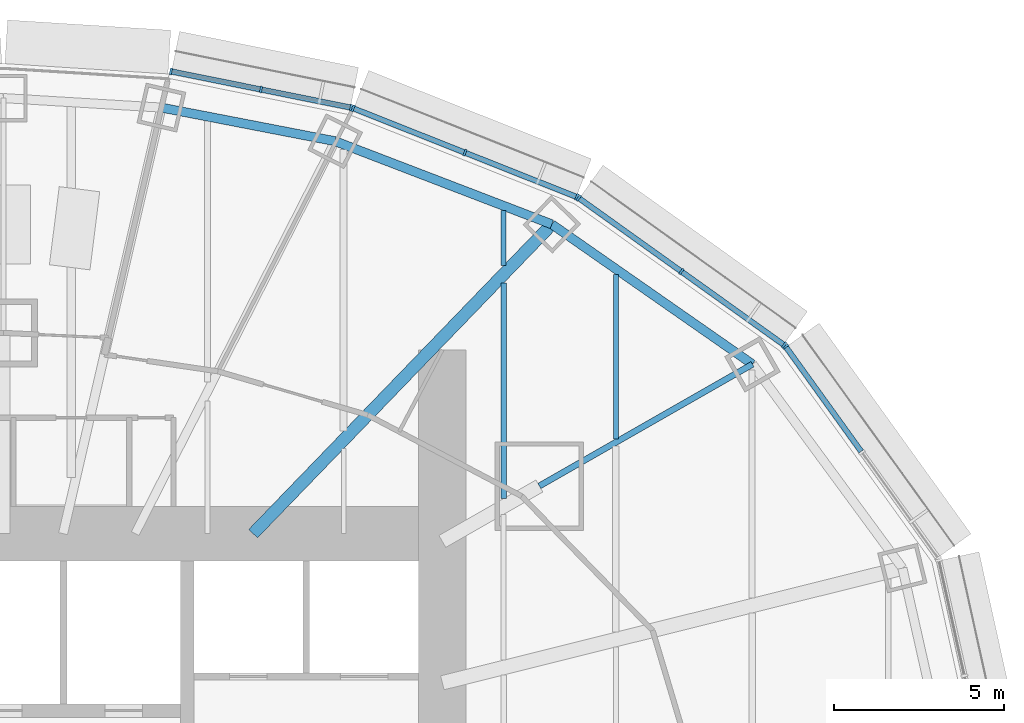
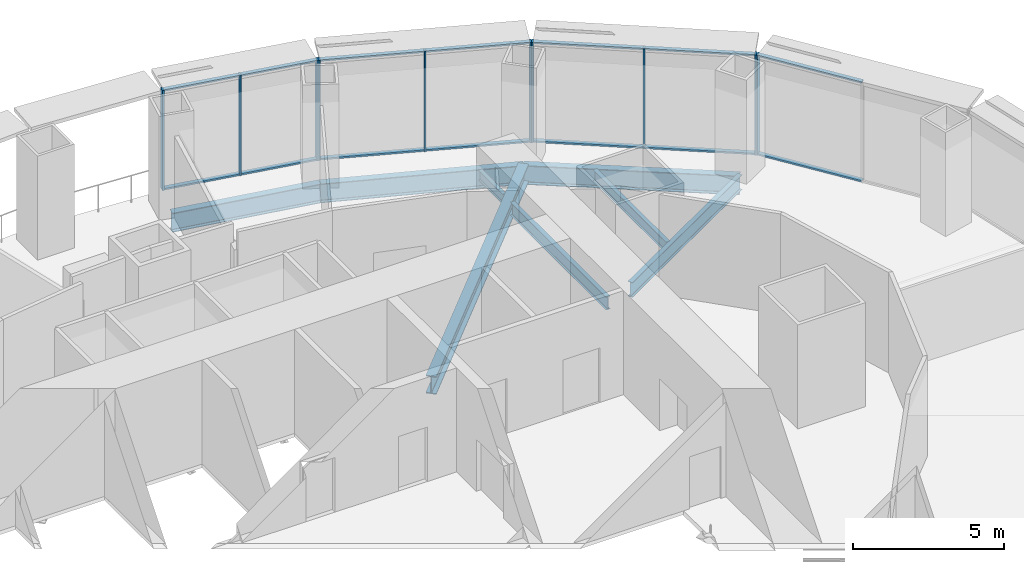
# One storey, part 8 of 17: 24 members, 8 beams, 4 elements without a shape of their own.
"""IFC4 building model written with IfcOpenShell, lengths in metres."""

import ifcopenshell
import ifcopenshell.guid

model = None  # the IFC model being written
_history = None  # IfcOwnerHistory: only IFC2X3 demands one
_inside = {}  # id of a spatial element -> (the spatial element, [elements in it])
_under = {}  # id of a project, library or spatial element -> (it, [spatial elements below it])
_declared = {}  # id of a project -> (the project, [libraries it declares])
_typed = {}  # id of a type object -> (the type object, [elements of that type])
_made_of = {}  # id of a material, layer set ... -> (it, [elements and type objects made of it])


def new_model(schema):
    """Start an empty IFC model of exactly this schema.

    Asked for "IFC4X3", IfcOpenShell would pick the latest addendum, in which some entities
    have other attributes; the version numbers below select the first issue.
    IFC2X3 requires an IfcOwnerHistory on every rooted entity: one is made here for all.
    """
    global model, _history
    if schema == "IFC4X3":
        model = ifcopenshell.file(schema_version=(4, 3, 0, 0))
    else:
        model = ifcopenshell.file(schema=schema)
    _inside.clear()
    _under.clear()
    _declared.clear()
    _typed.clear()
    _made_of.clear()
    _history = None
    if model.schema == "IFC2X3":
        org = make("IfcOrganization", Name="unknown")
        user = make(
            "IfcPersonAndOrganization",
            ThePerson=make("IfcPerson", FamilyName="unknown"),
            TheOrganization=org,
        )
        app = make(
            "IfcApplication",
            ApplicationDeveloper=org,
            Version="unknown",
            ApplicationFullName="unknown",
            ApplicationIdentifier="unknown",
        )
        _history = make(
            "IfcOwnerHistory",
            OwningUser=user,
            OwningApplication=app,
            ChangeAction="ADDED",
            CreationDate=0,
        )
    return model


def make(cls, **values):
    """One entity of the class cls with the attributes given. An attribute that is None is left unset."""
    return model.create_entity(
        cls, **{name: value for name, value in values.items() if value is not None}
    )


def rooted(cls, **values):
    """An entity with a GlobalId (a new one), such as an element, a storey or a relation."""
    return make(cls, GlobalId=ifcopenshell.guid.new(), OwnerHistory=_history, **values)


def si_unit(unit_type, name, prefix=None):
    """IfcSIUnit, for example si_unit("LENGTHUNIT", "METRE", prefix="MILLI")."""
    return make("IfcSIUnit", UnitType=unit_type, Prefix=prefix, Name=name)


def assignment(units):
    """IfcUnitAssignment: the units of a project."""
    return None if units is None else make("IfcUnitAssignment", Units=units)


def point(xyz):
    """IfcCartesianPoint."""
    return None if xyz is None else make("IfcCartesianPoint", Coordinates=xyz)


def direction(xyz):
    """IfcDirection."""
    return None if xyz is None else make("IfcDirection", DirectionRatios=xyz)


def frame(location, z_axis=None, x_axis=None):
    """IfcAxis2Placement3D, a coordinate frame: its origin and axes. An axis left out is left unset."""
    return make(
        "IfcAxis2Placement3D",
        Location=point(location),
        Axis=direction(z_axis),
        RefDirection=direction(x_axis),
    )


def frame_2d(location, x_axis=None):
    """IfcAxis2Placement2D, a coordinate frame in the plane: its origin and x axis."""
    return make(
        "IfcAxis2Placement2D", Location=point(location), RefDirection=direction(x_axis)
    )


def origin():
    """The frame at (0, 0, 0) with its axes left unset."""
    return frame((0.0, 0.0, 0.0))


def origin_2d():
    """The frame at (0, 0) in the plane with its x axis left unset."""
    return frame_2d((0.0, 0.0))


def place(relative_to, where):
    """IfcLocalPlacement: puts the frame where relative to a parent placement (None: the world)."""
    return make(
        "IfcLocalPlacement", PlacementRelTo=relative_to, RelativePlacement=where
    )


def context(
    kind, dimensions, precision=None, world=None, true_north=None, identifier=None
):
    """IfcGeometricRepresentationContext, for example the 3D "Model" context."""
    return make(
        "IfcGeometricRepresentationContext",
        ContextIdentifier=identifier,
        ContextType=kind,
        CoordinateSpaceDimension=dimensions,
        Precision=precision,
        WorldCoordinateSystem=world,
        TrueNorth=true_north,
    )


def subcontext(parent, identifier, kind, view, scale=None):
    """IfcGeometricRepresentationSubContext, for example "Body" below "Model"."""
    return make(
        "IfcGeometricRepresentationSubContext",
        ContextIdentifier=identifier,
        ContextType=kind,
        ParentContext=parent,
        TargetScale=scale,
        TargetView=view,
    )


def project(units=None, contexts=None):
    """IfcProject with its units and contexts."""
    return rooted(
        "IfcProject",
        Name="project",
        RepresentationContexts=contexts,
        UnitsInContext=assignment(units),
    )


def spatial(cls, under=None, at=None, **own):
    """A site, building, storey or space (cls), placed at a placement, below another one or the project."""
    s = rooted(cls, ObjectPlacement=at, **own)
    if under is not None:
        _under.setdefault(under.id(), (under, []))[1].append(s)
    return s


def profile(cls, at=None, kind="AREA", **sizes):
    """A parametric profile (cls). Its sizes go by their IFC names, for example OverallWidth=200.0."""
    return make(cls, ProfileType=kind, Position=at, **sizes)


def rectangle(**sizes):
    """IfcRectangleProfileDef."""
    return profile("IfcRectangleProfileDef", **sizes)


def i_section(**sizes):
    """IfcIShapeProfileDef."""
    return profile("IfcIShapeProfileDef", **sizes)


def extrude(swept, where, along, depth):
    """IfcExtrudedAreaSolid: the profile swept, set in the frame where, extruded along a direction by depth."""
    return make(
        "IfcExtrudedAreaSolid",
        SweptArea=swept,
        Position=where,
        ExtrudedDirection=direction(along),
        Depth=depth,
    )


def shape(context_of_items, identifier, shape_type, items):
    """IfcShapeRepresentation: the items that make up one representation, for example the "Body"."""
    return make(
        "IfcShapeRepresentation",
        ContextOfItems=context_of_items,
        RepresentationIdentifier=identifier,
        RepresentationType=shape_type,
        Items=items,
    )


def material(Name=None, Category=None):
    """IfcMaterial."""
    return make("IfcMaterial", Name=Name, Category=Category)


def material_profile(
    of_material, cross_section, Name=None, Category=None, Priority=None
):
    """IfcMaterialProfile: a cross section and its material."""
    return make(
        "IfcMaterialProfile",
        Name=Name,
        Material=of_material,
        Profile=cross_section,
        Priority=Priority,
        Category=Category,
    )


def profile_set(profiles, Name=None, composite=None):
    """IfcMaterialProfileSet."""
    return make(
        "IfcMaterialProfileSet",
        Name=Name,
        MaterialProfiles=profiles,
        CompositeProfile=composite,
    )


def made_of(thing, what):
    """Note that an element or type object is made of a material, layer set ...; save() writes the relation."""
    if what is not None:
        _made_of.setdefault(what.id(), (what, []))[1].append(thing)
    return thing


def type_object(cls, material=None, **own):
    """A type object (cls), such as IfcWallType, which elements share."""
    return made_of(rooted(cls, **own), material)


def element(
    cls,
    number,
    at=None,
    inside=None,
    cuts=None,
    type_object=None,
    material=None,
    context=None,
    identifier="Body",
    shape_type=None,
    held_by="IfcProductDefinitionShape",
    body=None,
    shapes=None,
    **own,
):
    """One element of the class cls, such as IfcWall. Its Tag is "e" and its number.

    at: its placement. inside: the storey or other place that contains it. cuts: it is an
    opening in that element (IfcRelVoidsElement). A single representation is given by context,
    identifier, shape_type and body (its items); several are given by shapes. held_by: the class
    of the entity that holds the representations. save() writes the other relations.
    """
    e = rooted(cls, Tag="e%d" % number, ObjectPlacement=at, **own)
    if body is not None:
        shapes = [shape(context, identifier, shape_type, body)]
    if shapes is not None:
        e.Representation = make(held_by, Representations=shapes)
    if inside is not None:
        _inside.setdefault(inside.id(), (inside, []))[1].append(e)
    if cuts is not None:
        rooted(
            "IfcRelVoidsElement", RelatingBuildingElement=cuts, RelatedOpeningElement=e
        )
    if type_object is not None:
        _typed.setdefault(type_object.id(), (type_object, []))[1].append(e)
    return made_of(e, material)


def aggregate(whole, parts):
    """IfcRelAggregates: a whole, such as a stair, and the parts it consists of."""
    return rooted("IfcRelAggregates", RelatingObject=whole, RelatedObjects=parts)


def save(model, path):
    """Write the relations noted so far, then the file.

    IfcRelAggregates (storeys below a building ...), IfcRelContainedInSpatialStructure (elements
    in a storey), IfcRelDefinesByType, IfcRelAssociatesMaterial and IfcRelDeclares: one each for
    every whole, place, type object, material and project.
    """
    for whole, parts in _under.values():
        aggregate(whole, parts)
    for where, things in _inside.values():
        rooted(
            "IfcRelContainedInSpatialStructure",
            RelatedElements=things,
            RelatingStructure=where,
        )
    for kind, things in _typed.values():
        rooted("IfcRelDefinesByType", RelatedObjects=things, RelatingType=kind)
    for what, things in _made_of.values():
        rooted("IfcRelAssociatesMaterial", RelatedObjects=things, RelatingMaterial=what)
    for by, libraries in _declared.values():
        rooted("IfcRelDeclares", RelatingContext=by, RelatedDefinitions=libraries)
    model.write(path)


model = new_model("IFC4")

# Units and contexts
model_context = context("Model", 3, precision=1e-05, world=origin(), true_north=direction((0.0, 1.0)))
body_context = subcontext(model_context, "Body", "Model", "MODEL_VIEW")
ifc_project = project(units=[si_unit("LENGTHUNIT", "METRE"), si_unit("AREAUNIT", "SQUARE_METRE"), si_unit("VOLUMEUNIT", "CUBIC_METRE"), si_unit("PLANEANGLEUNIT", "RADIAN"), si_unit("MASSUNIT", "GRAM", prefix="KILO")], contexts=[model_context])

# Site, building, storey
site_placement = place(None, origin())
site = spatial("IfcSite", under=ifc_project, at=site_placement, CompositionType="ELEMENT")
building_placement = place(site_placement, origin())
building = spatial("IfcBuilding", under=site, at=building_placement, Name="Lantaw Convention Tower", CompositionType="ELEMENT")
storey_placement = place(building_placement, frame((0.0, 0.0, 151.0)))
storey = spatial("IfcBuildingStorey", under=building, at=storey_placement, Name="L35", CompositionType="ELEMENT", Elevation=151.0)

# Beams
ifc_material_1 = material(Name="Steel ASTM A992", Category="steel")
ifc_material_profile_1 = material_profile(ifc_material_1, i_section(OverallWidth=0.2666015625, OverallDepth=0.76953125, WebThickness=0.015625, FlangeThickness=0.025390625, FilletRadius=0.0126953125, at=origin_2d()), Name="W30X132")
ifc_profile_set_1 = profile_set([ifc_material_profile_1], Name="Steel ASTM A992")
beam_type_1 = type_object("IfcBeamType", Name="Beam E W30X132", PredefinedType="SPANDREL", material=ifc_profile_set_1)
beam_1_placement = place(storey_placement, frame((22.013916015625, 12.579345703125, -0.534912109375), z_axis=(-0.820310765287, 0.57191804339, 0.0), x_axis=(-0.57191804339, -0.820310765287, 0.0)))
element("IfcBeam", 1, at=beam_1_placement, inside=storey, type_object=beam_type_1, Name="Edge beam 3", PredefinedType="SPANDREL", context=body_context, shape_type="SweptSolid", body=[
    extrude(i_section(OverallWidth=0.2666015625, OverallDepth=0.76953125, WebThickness=0.015625, FlangeThickness=0.025390625, FilletRadius=0.0126953125, at=origin_2d()), origin(), (0.0, 0.0, 1.0), 7.187744140625),
])
beam_2_placement = place(storey_placement, frame((16.11767578125, 16.690185546875, -0.534912109375), z_axis=(-0.933691081977, 0.358079549033, 0.0), x_axis=(-0.358079549033, -0.933691081977, 0.0)))
element("IfcBeam", 2, at=beam_2_placement, inside=storey, type_object=beam_type_1, Name="Edge beam 4", PredefinedType="SPANDREL", context=body_context, shape_type="SweptSolid", body=[
    extrude(i_section(OverallWidth=0.2666015625, OverallDepth=0.76953125, WebThickness=0.015625, FlangeThickness=0.025390625, FilletRadius=0.0126953125, at=origin_2d()), origin(), (0.0, 0.0, 1.0), 6.821533203125),
])
beam_3_placement = place(storey_placement, frame((9.74853515625, 19.1328125, -0.534912109375), z_axis=(-0.981796805654, 0.189934284446, 0.0), x_axis=(-0.189934284446, -0.981796805654, 0.0)))
element("IfcBeam", 3, at=beam_3_placement, inside=storey, type_object=beam_type_1, Name="Edge beam 5", PredefinedType="SPANDREL", context=body_context, shape_type="SweptSolid", body=[
    extrude(i_section(OverallWidth=0.2666015625, OverallDepth=0.76953125, WebThickness=0.015625, FlangeThickness=0.025390625, FilletRadius=0.0126953125, at=origin_2d()), origin(), (0.0, 0.0, 1.0), 5.1982421875),
])
ifc_material_profile_2 = material_profile(ifc_material_1, i_section(OverallWidth=0.177978515625, OverallDepth=0.599365234375, WebThickness=0.010009765625, FlangeThickness=0.012939453125, FilletRadius=0.012939453125, at=origin_2d()), Name="W24X55")
ifc_profile_set_2 = profile_set([ifc_material_profile_2], Name="Steel ASTM A992")
beam_type_2 = type_object("IfcBeamType", Name="Beam G W24X55", PredefinedType="BEAM", material=ifc_profile_set_2)
beam_4_placement = place(storey_placement, frame((15.75, 9.0, -0.44970703125), z_axis=(0.868245224608, 0.496135293993, 0.0), x_axis=(-0.496135293993, 0.868245224608, 0.0)))
element("IfcBeam", 4, at=beam_4_placement, inside=storey, type_object=beam_type_2, Name="Floor girder on ray 3", PredefinedType="BEAM", context=body_context, shape_type="SweptSolid", body=[
    extrude(i_section(OverallWidth=0.177978515625, OverallDepth=0.599365234375, WebThickness=0.010009765625, FlangeThickness=0.012939453125, FilletRadius=0.012939453125, at=origin_2d()), origin(), (0.0, 0.0, 1.0), 7.21435546875),
])
ifc_material_profile_3 = material_profile(ifc_material_1, i_section(OverallWidth=0.360595703125, OverallDepth=0.72900390625, WebThickness=0.023193359375, FlangeThickness=0.041015625, FilletRadius=0.0126953125, at=origin_2d()), Name="W27X235")
ifc_profile_set_3 = profile_set([ifc_material_profile_3], Name="Steel ASTM A992")
beam_type_3 = type_object("IfcBeamType", Name="Beam G W27X235", PredefinedType="BEAM", material=ifc_profile_set_3)
beam_5_placement = place(storey_placement, frame((7.33935546875, 7.60009765625, -0.514404296875), z_axis=(0.694663467407, 0.719334878239, 0.0), x_axis=(-0.719334878239, 0.694663467407, 0.0)))
element("IfcBeam", 5, at=beam_5_placement, inside=storey, type_object=beam_type_3, Name="Floor girder on ray 4", PredefinedType="BEAM", context=body_context, shape_type="SweptSolid", body=[
    extrude(i_section(OverallWidth=0.360595703125, OverallDepth=0.72900390625, WebThickness=0.023193359375, FlangeThickness=0.041015625, FilletRadius=0.0126953125, at=origin_2d()), origin(), (0.0, 0.0, 1.0), 12.63671875),
])
ifc_material_profile_4 = material_profile(ifc_material_1, i_section(OverallWidth=0.140380859375, OverallDepth=0.40380859375, WebThickness=0.007080078125, FlangeThickness=0.01123046875, FilletRadius=0.01025390625, at=origin_2d()), Name="W16X31")
ifc_profile_set_4 = profile_set([ifc_material_profile_4], Name="Steel ASTM A992")
beam_type_4 = type_object("IfcBeamType", Name="Beam J W16X31", PredefinedType="JOIST", material=ifc_profile_set_4)
beam_6_placement = place(storey_placement, frame((14.699951171875, 15.48193359375, -0.35205078125), z_axis=(0.0, 1.0, 0.0), x_axis=(-1.0, 0.0, 0.0)))
element("IfcBeam", 6, at=beam_6_placement, inside=storey, type_object=beam_type_4, Name="Floor joist", PredefinedType="JOIST", context=body_context, shape_type="SweptSolid", body=[
    extrude(i_section(OverallWidth=0.140380859375, OverallDepth=0.40380859375, WebThickness=0.007080078125, FlangeThickness=0.01123046875, FilletRadius=0.01025390625, at=origin_2d()), origin(), (0.0, 0.0, 1.0), 1.609130859375),
])
ifc_material_profile_5 = material_profile(ifc_material_1, i_section(OverallWidth=0.15234375, OverallDepth=0.449462890625, WebThickness=0.007568359375, FlangeThickness=0.0107421875, FilletRadius=0.01025390625, at=origin_2d()), Name="W18X35")
ifc_profile_set_5 = profile_set([ifc_material_profile_5], Name="Steel ASTM A992")
beam_type_5 = type_object("IfcBeamType", Name="Beam J W18X35", PredefinedType="JOIST", material=ifc_profile_set_5)
beam_7_placement = place(storey_placement, frame((18.0, 10.38818359375, -0.374755859375), z_axis=(0.0, 1.0, 0.0), x_axis=(-1.0, 0.0, 0.0)))
element("IfcBeam", 7, at=beam_7_placement, inside=storey, type_object=beam_type_5, Name="Floor joist", PredefinedType="JOIST", context=body_context, shape_type="SweptSolid", body=[
    extrude(i_section(OverallWidth=0.15234375, OverallDepth=0.449462890625, WebThickness=0.007568359375, FlangeThickness=0.0107421875, FilletRadius=0.01025390625, at=origin_2d()), origin(), (0.0, 0.0, 1.0), 4.8271484375),
])
ifc_material_profile_6 = material_profile(ifc_material_1, i_section(OverallWidth=0.1650390625, OverallDepth=0.52587890625, WebThickness=0.0087890625, FlangeThickness=0.011474609375, FilletRadius=0.0126953125, at=origin_2d()), Name="W21X44")
ifc_profile_set_6 = profile_set([ifc_material_profile_6], Name="Steel ASTM A992")
beam_type_6 = type_object("IfcBeamType", Name="Beam J W21X44", PredefinedType="JOIST", material=ifc_profile_set_6)
beam_8_placement = place(storey_placement, frame((14.699951171875, 8.632568359375, -0.412841796875), z_axis=(0.0, 1.0, 0.0), x_axis=(-1.0, 0.0, 0.0)))
element("IfcBeam", 8, at=beam_8_placement, inside=storey, type_object=beam_type_6, Name="Floor joist", PredefinedType="JOIST", context=body_context, shape_type="SweptSolid", body=[
    extrude(i_section(OverallWidth=0.1650390625, OverallDepth=0.52587890625, WebThickness=0.0087890625, FlangeThickness=0.011474609375, FilletRadius=0.0126953125, at=origin_2d()), origin(), (0.0, 0.0, 1.0), 6.330078125),
])

# Curtain wall, member
ifc_material_2 = material(Name="Aluminium framed curtain wall", Category="aluminium")
curtain_wall_type = type_object("IfcCurtainWallType", Name="Office curtain wall low rise, pale aluminium", PredefinedType="USERDEFINED", material=ifc_material_2)
curtain_wall_1_placement = place(storey_placement, origin())
curtain_wall_1 = element("IfcCurtainWall", 9, at=curtain_wall_1_placement, inside=storey, type_object=curtain_wall_type, Name="Office curtain wall low rise, pale aluminium L35", ObjectType="UNITISED CURTAIN WALL", PredefinedType="USERDEFINED")
ifc_material_3 = material(Name="Aluminium 6063-T6", Category="aluminium")
ifc_material_profile_7 = material_profile(ifc_material_3, rectangle(XDim=0.199951171875, YDim=0.06494140625, at=origin_2d()), Name="CW-O1 mullion 65x200")
ifc_profile_set_7 = profile_set([ifc_material_profile_7], Name="Aluminium 6063-T6")
member_type_1 = type_object("IfcMemberType", Name="CW-O1 mullion 65x200", PredefinedType="MULLION", material=ifc_profile_set_7)
member_1_placement = place(storey_placement, frame((22.988037109375, 13.098876953125, 0.0), z_axis=(0.0, 0.0, 1.0), x_axis=(-0.811384633629, -0.584512597221, 0.0)))
member_1 = element("IfcMember", 10, at=member_1_placement, type_object=member_type_1, Name="CW-O1 mullion 3", PredefinedType="MULLION", context=body_context, shape_type="SweptSolid", body=[
    extrude(rectangle(XDim=0.199951171875, YDim=0.06494140625, at=origin_2d()), origin(), (0.0, 0.0, 1.0), 4.050048828125),
])

# Curtain wall, members
curtain_wall_2_placement = place(storey_placement, origin())
curtain_wall_2 = element("IfcCurtainWall", 11, at=curtain_wall_2_placement, inside=storey, type_object=curtain_wall_type, Name="Office curtain wall low rise, pale aluminium L35", ObjectType="UNITISED CURTAIN WALL", PredefinedType="USERDEFINED")
member_2_placement = place(storey_placement, frame((22.942626953125, 13.14404296875, 0.0), z_axis=(0.0, 0.0, 1.0), x_axis=(-0.581972695693, -0.813208325995, 0.0)))
member_2 = element("IfcMember", 12, at=member_2_placement, type_object=member_type_1, Name="CW-O1 mullion 1", PredefinedType="MULLION", context=body_context, shape_type="SweptSolid", body=[
    extrude(rectangle(XDim=0.199951171875, YDim=0.06494140625, at=origin_2d()), origin(), (0.0, 0.0, 1.0), 4.050048828125),
])
member_3_placement = place(storey_placement, frame((19.92529296875, 15.303466796875, 0.0), z_axis=(0.0, 0.0, 1.0), x_axis=(-0.581972695693, -0.813208325995, 0.0)))
member_3 = element("IfcMember", 13, at=member_3_placement, type_object=member_type_1, Name="CW-O1 mullion 2", PredefinedType="MULLION", context=body_context, shape_type="SweptSolid", body=[
    extrude(rectangle(XDim=0.199951171875, YDim=0.06494140625, at=origin_2d()), origin(), (0.0, 0.0, 1.0), 4.050048828125),
])
member_4_placement = place(storey_placement, frame((16.908203125, 17.462646484375, 0.0), z_axis=(0.0, 0.0, 1.0), x_axis=(-0.581972695693, -0.813208325995, 0.0)))
member_4 = element("IfcMember", 14, at=member_4_placement, type_object=member_type_1, Name="CW-O1 mullion 3", PredefinedType="MULLION", context=body_context, shape_type="SweptSolid", body=[
    extrude(rectangle(XDim=0.199951171875, YDim=0.06494140625, at=origin_2d()), origin(), (0.0, 0.0, 1.0), 4.050048828125),
])

curtain_wall_3_placement = place(storey_placement, origin())
curtain_wall_3 = element("IfcCurtainWall", 15, at=curtain_wall_3_placement, inside=storey, type_object=curtain_wall_type, Name="Office curtain wall low rise, pale aluminium L35", ObjectType="UNITISED CURTAIN WALL", PredefinedType="USERDEFINED")
member_5_placement = place(storey_placement, frame((16.8515625, 17.49365234375, 0.0), z_axis=(0.0, 0.0, 1.0), x_axis=(-0.368701907483, -0.929547687544, 0.0)))
member_5 = element("IfcMember", 16, at=member_5_placement, type_object=member_type_1, Name="CW-O1 mullion 1", PredefinedType="MULLION", context=body_context, shape_type="SweptSolid", body=[
    extrude(rectangle(XDim=0.199951171875, YDim=0.06494140625, at=origin_2d()), origin(), (0.0, 0.0, 1.0), 4.050048828125),
])
member_6_placement = place(storey_placement, frame((13.56494140625, 18.797119140625, 0.0), z_axis=(0.0, 0.0, 1.0), x_axis=(-0.368701907483, -0.929547687544, 0.0)))
member_6 = element("IfcMember", 17, at=member_6_placement, type_object=member_type_1, Name="CW-O1 mullion 2", PredefinedType="MULLION", context=body_context, shape_type="SweptSolid", body=[
    extrude(rectangle(XDim=0.199951171875, YDim=0.06494140625, at=origin_2d()), origin(), (0.0, 0.0, 1.0), 4.050048828125),
])
member_7_placement = place(storey_placement, frame((10.2783203125, 20.100830078125, 0.0), z_axis=(0.0, 0.0, 1.0), x_axis=(-0.368701907483, -0.929547687544, 0.0)))
member_7 = element("IfcMember", 18, at=member_7_placement, type_object=member_type_1, Name="CW-O1 mullion 3", PredefinedType="MULLION", context=body_context, shape_type="SweptSolid", body=[
    extrude(rectangle(XDim=0.199951171875, YDim=0.06494140625, at=origin_2d()), origin(), (0.0, 0.0, 1.0), 4.050048828125),
])

curtain_wall_4_placement = place(storey_placement, origin())
curtain_wall_4 = element("IfcCurtainWall", 19, at=curtain_wall_4_placement, inside=storey, type_object=curtain_wall_type, Name="Office curtain wall low rise, pale aluminium L35", ObjectType="UNITISED CURTAIN WALL", PredefinedType="USERDEFINED")
member_8_placement = place(storey_placement, frame((10.216064453125, 20.119140625, 0.0), z_axis=(0.0, 0.0, 1.0), x_axis=(-0.197506809659, -0.980301514912, 0.0)))
member_8 = element("IfcMember", 20, at=member_8_placement, type_object=member_type_1, Name="CW-O1 mullion 1", PredefinedType="MULLION", context=body_context, shape_type="SweptSolid", body=[
    extrude(rectangle(XDim=0.199951171875, YDim=0.06494140625, at=origin_2d()), origin(), (0.0, 0.0, 1.0), 4.050048828125),
])
member_9_placement = place(storey_placement, frame((7.5703125, 20.65234375, 0.0), z_axis=(0.0, 0.0, 1.0), x_axis=(-0.197506809659, -0.980301514912, 0.0)))
member_9 = element("IfcMember", 21, at=member_9_placement, type_object=member_type_1, Name="CW-O1 mullion 2", PredefinedType="MULLION", context=body_context, shape_type="SweptSolid", body=[
    extrude(rectangle(XDim=0.199951171875, YDim=0.06494140625, at=origin_2d()), origin(), (0.0, 0.0, 1.0), 4.050048828125),
])
member_10_placement = place(storey_placement, frame((4.92431640625, 21.185302734375, 0.0), z_axis=(0.0, 0.0, 1.0), x_axis=(-0.197506809659, -0.980301514912, 0.0)))
member_10 = element("IfcMember", 22, at=member_10_placement, type_object=member_type_1, Name="CW-O1 mullion 3", PredefinedType="MULLION", context=body_context, shape_type="SweptSolid", body=[
    extrude(rectangle(XDim=0.199951171875, YDim=0.06494140625, at=origin_2d()), origin(), (0.0, 0.0, 1.0), 4.050048828125),
])

# Member
ifc_material_profile_8 = material_profile(ifc_material_3, rectangle(XDim=0.159912109375, YDim=0.06494140625, at=origin_2d()), Name="CW-O1 transom 65x160")
ifc_profile_set_8 = profile_set([ifc_material_profile_8], Name="Aluminium 6063-T6")
member_type_2 = type_object("IfcMemberType", Name="CW-O1 transom 65x160", PredefinedType="USERDEFINED", material=ifc_profile_set_8)
member_11_placement = place(storey_placement, frame((25.209228515625, 10.015625, 0.032470703125), z_axis=(-0.584512973979, 0.811384362217, 0.0), x_axis=(-0.811384362217, -0.584512973979, 0.0)))
member_11 = element("IfcMember", 23, at=member_11_placement, type_object=member_type_2, Name="CW-O1 transom 2.1", ObjectType="TRANSOM", PredefinedType="USERDEFINED", context=body_context, shape_type="SweptSolid", body=[
    extrude(rectangle(XDim=0.159912109375, YDim=0.06494140625, at=origin_2d()), origin(), (0.0, 0.0, 1.0), 3.767578125),
])

member_12_placement = place(storey_placement, frame((25.209228515625, 10.015625, 4.017578125), z_axis=(-0.584512973979, 0.811384362217, 0.0), x_axis=(-0.811384362217, -0.584512973979, 0.0)))
member_12 = element("IfcMember", 24, at=member_12_placement, type_object=member_type_2, Name="CW-O1 transom 2.2", ObjectType="TRANSOM", PredefinedType="USERDEFINED", context=body_context, shape_type="SweptSolid", body=[
    extrude(rectangle(XDim=0.159912109375, YDim=0.06494140625, at=origin_2d()), origin(), (0.0, 0.0, 1.0), 3.767578125),
])

aggregate(curtain_wall_1, [member_1, member_11, member_12])

member_13_placement = place(storey_placement, frame((22.916259765625, 13.1630859375, 0.032470703125), z_axis=(-0.813221785972, 0.581953887194, 0.0), x_axis=(-0.581953887194, -0.813221785972, 0.0)))
member_13 = element("IfcMember", 25, at=member_13_placement, type_object=member_type_2, Name="CW-O1 transom 1.1", ObjectType="TRANSOM", PredefinedType="USERDEFINED", context=body_context, shape_type="SweptSolid", body=[
    extrude(rectangle(XDim=0.159912109375, YDim=0.06494140625, at=origin_2d()), origin(), (0.0, 0.0, 1.0), 3.645263671875),
])

member_14_placement = place(storey_placement, frame((22.916259765625, 13.1630859375, 4.017578125), z_axis=(-0.813221785972, 0.581953887194, 0.0), x_axis=(-0.581953887194, -0.813221785972, 0.0)))
member_14 = element("IfcMember", 26, at=member_14_placement, type_object=member_type_2, Name="CW-O1 transom 1.2", ObjectType="TRANSOM", PredefinedType="USERDEFINED", context=body_context, shape_type="SweptSolid", body=[
    extrude(rectangle(XDim=0.159912109375, YDim=0.06494140625, at=origin_2d()), origin(), (0.0, 0.0, 1.0), 3.645263671875),
])

member_15_placement = place(storey_placement, frame((19.89892578125, 15.322265625, 0.032470703125), z_axis=(-0.813190089133, 0.581998177777, 0.0), x_axis=(-0.581998177777, -0.813190089133, 0.0)))
member_15 = element("IfcMember", 27, at=member_15_placement, type_object=member_type_2, Name="CW-O1 transom 2.1", ObjectType="TRANSOM", PredefinedType="USERDEFINED", context=body_context, shape_type="SweptSolid", body=[
    extrude(rectangle(XDim=0.159912109375, YDim=0.06494140625, at=origin_2d()), origin(), (0.0, 0.0, 1.0), 3.645263671875),
])

member_16_placement = place(storey_placement, frame((19.89892578125, 15.322265625, 4.017578125), z_axis=(-0.813190089133, 0.581998177777, 0.0), x_axis=(-0.581998177777, -0.813190089133, 0.0)))
member_16 = element("IfcMember", 28, at=member_16_placement, type_object=member_type_2, Name="CW-O1 transom 2.2", ObjectType="TRANSOM", PredefinedType="USERDEFINED", context=body_context, shape_type="SweptSolid", body=[
    extrude(rectangle(XDim=0.159912109375, YDim=0.06494140625, at=origin_2d()), origin(), (0.0, 0.0, 1.0), 3.645263671875),
])

aggregate(curtain_wall_2, [member_2, member_3, member_4, member_13, member_14, member_15, member_16])

member_17_placement = place(storey_placement, frame((16.8212890625, 17.505615234375, 0.032470703125), z_axis=(-0.929564188507, 0.368660303592, 0.0), x_axis=(-0.368660303592, -0.929564188507, 0.0)))
member_17 = element("IfcMember", 29, at=member_17_placement, type_object=member_type_2, Name="CW-O1 transom 1.1", ObjectType="TRANSOM", PredefinedType="USERDEFINED", context=body_context, shape_type="SweptSolid", body=[
    extrude(rectangle(XDim=0.159912109375, YDim=0.06494140625, at=origin_2d()), origin(), (0.0, 0.0, 1.0), 3.470703125),
])

member_18_placement = place(storey_placement, frame((16.8212890625, 17.505615234375, 4.017578125), z_axis=(-0.929564188507, 0.368660303592, 0.0), x_axis=(-0.368660303592, -0.929564188507, 0.0)))
member_18 = element("IfcMember", 30, at=member_18_placement, type_object=member_type_2, Name="CW-O1 transom 1.2", ObjectType="TRANSOM", PredefinedType="USERDEFINED", context=body_context, shape_type="SweptSolid", body=[
    extrude(rectangle(XDim=0.159912109375, YDim=0.06494140625, at=origin_2d()), origin(), (0.0, 0.0, 1.0), 3.470703125),
])

member_19_placement = place(storey_placement, frame((13.53466796875, 18.80908203125, 0.032470703125), z_axis=(-0.929540081544, 0.368721082668, 0.0), x_axis=(-0.368721082668, -0.929540081544, 0.0)))
member_19 = element("IfcMember", 31, at=member_19_placement, type_object=member_type_2, Name="CW-O1 transom 2.1", ObjectType="TRANSOM", PredefinedType="USERDEFINED", context=body_context, shape_type="SweptSolid", body=[
    extrude(rectangle(XDim=0.159912109375, YDim=0.06494140625, at=origin_2d()), origin(), (0.0, 0.0, 1.0), 3.470947265625),
])

member_20_placement = place(storey_placement, frame((13.53466796875, 18.80908203125, 4.017578125), z_axis=(-0.929540081544, 0.368721082668, 0.0), x_axis=(-0.368721082668, -0.929540081544, 0.0)))
member_20 = element("IfcMember", 32, at=member_20_placement, type_object=member_type_2, Name="CW-O1 transom 2.2", ObjectType="TRANSOM", PredefinedType="USERDEFINED", context=body_context, shape_type="SweptSolid", body=[
    extrude(rectangle(XDim=0.159912109375, YDim=0.06494140625, at=origin_2d()), origin(), (0.0, 0.0, 1.0), 3.470947265625),
])

aggregate(curtain_wall_3, [member_5, member_6, member_7, member_17, member_18, member_19, member_20])

member_21_placement = place(storey_placement, frame((10.184326171875, 20.125732421875, 0.032470703125), z_axis=(-0.980301643003, 0.197506173891, 0.0), x_axis=(-0.197506173891, -0.980301643003, 0.0)))
member_21 = element("IfcMember", 33, at=member_21_placement, type_object=member_type_2, Name="CW-O1 transom 1.1", ObjectType="TRANSOM", PredefinedType="USERDEFINED", context=body_context, shape_type="SweptSolid", body=[
    extrude(rectangle(XDim=0.159912109375, YDim=0.06494140625, at=origin_2d()), origin(), (0.0, 0.0, 1.0), 2.63427734375),
])

member_22_placement = place(storey_placement, frame((10.184326171875, 20.125732421875, 4.017578125), z_axis=(-0.980301643003, 0.197506173891, 0.0), x_axis=(-0.197506173891, -0.980301643003, 0.0)))
member_22 = element("IfcMember", 34, at=member_22_placement, type_object=member_type_2, Name="CW-O1 transom 1.2", ObjectType="TRANSOM", PredefinedType="USERDEFINED", context=body_context, shape_type="SweptSolid", body=[
    extrude(rectangle(XDim=0.159912109375, YDim=0.06494140625, at=origin_2d()), origin(), (0.0, 0.0, 1.0), 2.63427734375),
])

member_23_placement = place(storey_placement, frame((7.538330078125, 20.65869140625, 0.032470703125), z_axis=(-0.980298027092, 0.197524120247, 0.0), x_axis=(-0.197524120247, -0.980298027092, 0.0)))
member_23 = element("IfcMember", 35, at=member_23_placement, type_object=member_type_2, Name="CW-O1 transom 2.1", ObjectType="TRANSOM", PredefinedType="USERDEFINED", context=body_context, shape_type="SweptSolid", body=[
    extrude(rectangle(XDim=0.159912109375, YDim=0.06494140625, at=origin_2d()), origin(), (0.0, 0.0, 1.0), 2.634033203125),
])

member_24_placement = place(storey_placement, frame((7.538330078125, 20.65869140625, 4.017578125), z_axis=(-0.980298027092, 0.197524120247, 0.0), x_axis=(-0.197524120247, -0.980298027092, 0.0)))
member_24 = element("IfcMember", 36, at=member_24_placement, type_object=member_type_2, Name="CW-O1 transom 2.2", ObjectType="TRANSOM", PredefinedType="USERDEFINED", context=body_context, shape_type="SweptSolid", body=[
    extrude(rectangle(XDim=0.159912109375, YDim=0.06494140625, at=origin_2d()), origin(), (0.0, 0.0, 1.0), 2.634033203125),
])

aggregate(curtain_wall_4, [member_8, member_9, member_10, member_21, member_22, member_23, member_24])

save(model, "model.ifc")
